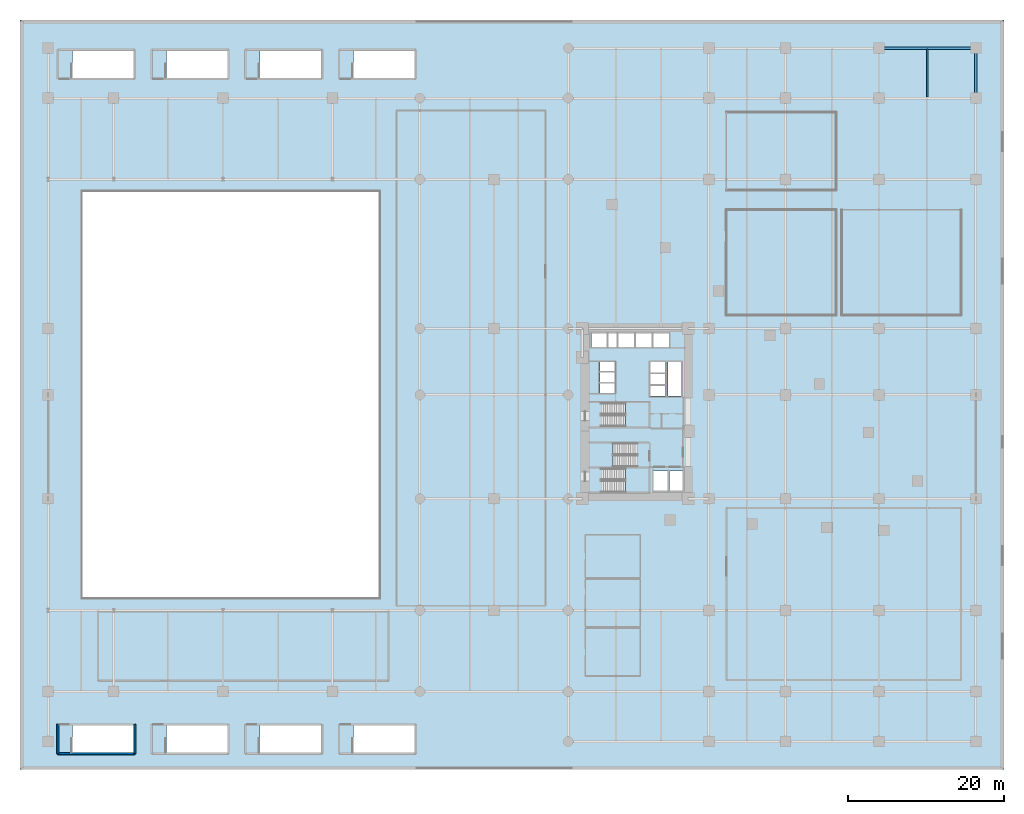
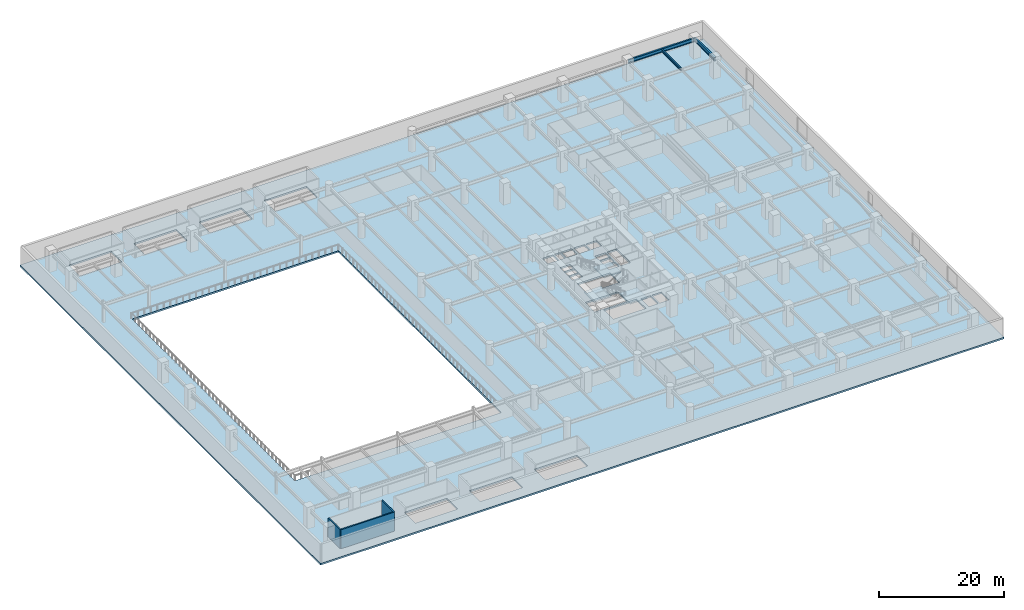
# One storey, part 7 of 20: 4 slabs, 3 beams, 3 walls, 3 elements without a shape of their own.
"""IFC4 building model written with IfcOpenShell, lengths in metres."""

import ifcopenshell
import ifcopenshell.guid

model = None  # the IFC model being written
_history = None  # IfcOwnerHistory: only IFC2X3 demands one
_inside = {}  # id of a spatial element -> (the spatial element, [elements in it])
_under = {}  # id of a project, library or spatial element -> (it, [spatial elements below it])
_declared = {}  # id of a project -> (the project, [libraries it declares])
_typed = {}  # id of a type object -> (the type object, [elements of that type])
_made_of = {}  # id of a material, layer set ... -> (it, [elements and type objects made of it])


def new_model(schema):
    """Start an empty IFC model of exactly this schema.

    Asked for "IFC4X3", IfcOpenShell would pick the latest addendum, in which some entities
    have other attributes; the version numbers below select the first issue.
    IFC2X3 requires an IfcOwnerHistory on every rooted entity: one is made here for all.
    """
    global model, _history
    if schema == "IFC4X3":
        model = ifcopenshell.file(schema_version=(4, 3, 0, 0))
    else:
        model = ifcopenshell.file(schema=schema)
    _inside.clear()
    _under.clear()
    _declared.clear()
    _typed.clear()
    _made_of.clear()
    _history = None
    if model.schema == "IFC2X3":
        org = make("IfcOrganization", Name="unknown")
        user = make(
            "IfcPersonAndOrganization",
            ThePerson=make("IfcPerson", FamilyName="unknown"),
            TheOrganization=org,
        )
        app = make(
            "IfcApplication",
            ApplicationDeveloper=org,
            Version="unknown",
            ApplicationFullName="unknown",
            ApplicationIdentifier="unknown",
        )
        _history = make(
            "IfcOwnerHistory",
            OwningUser=user,
            OwningApplication=app,
            ChangeAction="ADDED",
            CreationDate=0,
        )
    return model


def make(cls, **values):
    """One entity of the class cls with the attributes given. An attribute that is None is left unset."""
    return model.create_entity(
        cls, **{name: value for name, value in values.items() if value is not None}
    )


def rooted(cls, **values):
    """An entity with a GlobalId (a new one), such as an element, a storey or a relation."""
    return make(cls, GlobalId=ifcopenshell.guid.new(), OwnerHistory=_history, **values)


def si_unit(unit_type, name, prefix=None):
    """IfcSIUnit, for example si_unit("LENGTHUNIT", "METRE", prefix="MILLI")."""
    return make("IfcSIUnit", UnitType=unit_type, Prefix=prefix, Name=name)


def assignment(units):
    """IfcUnitAssignment: the units of a project."""
    return None if units is None else make("IfcUnitAssignment", Units=units)


def point(xyz):
    """IfcCartesianPoint."""
    return None if xyz is None else make("IfcCartesianPoint", Coordinates=xyz)


def direction(xyz):
    """IfcDirection."""
    return None if xyz is None else make("IfcDirection", DirectionRatios=xyz)


def frame(location, z_axis=None, x_axis=None):
    """IfcAxis2Placement3D, a coordinate frame: its origin and axes. An axis left out is left unset."""
    return make(
        "IfcAxis2Placement3D",
        Location=point(location),
        Axis=direction(z_axis),
        RefDirection=direction(x_axis),
    )


def frame_2d(location, x_axis=None):
    """IfcAxis2Placement2D, a coordinate frame in the plane: its origin and x axis."""
    return make(
        "IfcAxis2Placement2D", Location=point(location), RefDirection=direction(x_axis)
    )


def origin():
    """The frame at (0, 0, 0) with its axes left unset."""
    return frame((0.0, 0.0, 0.0))


def origin_2d():
    """The frame at (0, 0) in the plane with its x axis left unset."""
    return frame_2d((0.0, 0.0))


def place(relative_to, where):
    """IfcLocalPlacement: puts the frame where relative to a parent placement (None: the world)."""
    return make(
        "IfcLocalPlacement", PlacementRelTo=relative_to, RelativePlacement=where
    )


def context(
    kind, dimensions, precision=None, world=None, true_north=None, identifier=None
):
    """IfcGeometricRepresentationContext, for example the 3D "Model" context."""
    return make(
        "IfcGeometricRepresentationContext",
        ContextIdentifier=identifier,
        ContextType=kind,
        CoordinateSpaceDimension=dimensions,
        Precision=precision,
        WorldCoordinateSystem=world,
        TrueNorth=true_north,
    )


def subcontext(parent, identifier, kind, view, scale=None):
    """IfcGeometricRepresentationSubContext, for example "Body" below "Model"."""
    return make(
        "IfcGeometricRepresentationSubContext",
        ContextIdentifier=identifier,
        ContextType=kind,
        ParentContext=parent,
        TargetScale=scale,
        TargetView=view,
    )


def project(units=None, contexts=None):
    """IfcProject with its units and contexts."""
    return rooted(
        "IfcProject",
        Name="project",
        RepresentationContexts=contexts,
        UnitsInContext=assignment(units),
    )


def spatial(cls, under=None, at=None, **own):
    """A site, building, storey or space (cls), placed at a placement, below another one or the project."""
    s = rooted(cls, ObjectPlacement=at, **own)
    if under is not None:
        _under.setdefault(under.id(), (under, []))[1].append(s)
    return s


def polyline(points):
    """IfcPolyline through the points."""
    return make("IfcPolyline", Points=[point(p) for p in points])


def profile(cls, at=None, kind="AREA", **sizes):
    """A parametric profile (cls). Its sizes go by their IFC names, for example OverallWidth=200.0."""
    return make(cls, ProfileType=kind, Position=at, **sizes)


def rectangle(**sizes):
    """IfcRectangleProfileDef."""
    return profile("IfcRectangleProfileDef", **sizes)


def i_section(**sizes):
    """IfcIShapeProfileDef."""
    return profile("IfcIShapeProfileDef", **sizes)


def outline(outer, holes=None, kind="AREA"):
    """IfcArbitraryClosedProfileDef: a profile drawn as a closed curve; with holes, ...WithVoids."""
    if holes is None:
        return make("IfcArbitraryClosedProfileDef", ProfileType=kind, OuterCurve=outer)
    return make(
        "IfcArbitraryProfileDefWithVoids",
        ProfileType=kind,
        OuterCurve=outer,
        InnerCurves=holes,
    )


def extrude(swept, where, along, depth):
    """IfcExtrudedAreaSolid: the profile swept, set in the frame where, extruded along a direction by depth."""
    return make(
        "IfcExtrudedAreaSolid",
        SweptArea=swept,
        Position=where,
        ExtrudedDirection=direction(along),
        Depth=depth,
    )


def shape(context_of_items, identifier, shape_type, items):
    """IfcShapeRepresentation: the items that make up one representation, for example the "Body"."""
    return make(
        "IfcShapeRepresentation",
        ContextOfItems=context_of_items,
        RepresentationIdentifier=identifier,
        RepresentationType=shape_type,
        Items=items,
    )


def material(Name=None, Category=None):
    """IfcMaterial."""
    return make("IfcMaterial", Name=Name, Category=Category)


def layer(
    of_material, thickness, ventilated=None, Name=None, Category=None, Priority=None
):
    """IfcMaterialLayer: one layer of a wall or slab, of a material (None: an air gap)."""
    return make(
        "IfcMaterialLayer",
        Material=of_material,
        LayerThickness=thickness,
        IsVentilated=ventilated,
        Name=Name,
        Category=Category,
        Priority=Priority,
    )


def layer_set(layers, Name=None):
    """IfcMaterialLayerSet."""
    return make("IfcMaterialLayerSet", MaterialLayers=layers, LayerSetName=Name)


def material_profile(
    of_material, cross_section, Name=None, Category=None, Priority=None
):
    """IfcMaterialProfile: a cross section and its material."""
    return make(
        "IfcMaterialProfile",
        Name=Name,
        Material=of_material,
        Profile=cross_section,
        Priority=Priority,
        Category=Category,
    )


def profile_set(profiles, Name=None, composite=None):
    """IfcMaterialProfileSet."""
    return make(
        "IfcMaterialProfileSet",
        Name=Name,
        MaterialProfiles=profiles,
        CompositeProfile=composite,
    )


def made_of(thing, what):
    """Note that an element or type object is made of a material, layer set ...; save() writes the relation."""
    if what is not None:
        _made_of.setdefault(what.id(), (what, []))[1].append(thing)
    return thing


def type_object(cls, material=None, **own):
    """A type object (cls), such as IfcWallType, which elements share."""
    return made_of(rooted(cls, **own), material)


def element(
    cls,
    number,
    at=None,
    inside=None,
    cuts=None,
    type_object=None,
    material=None,
    context=None,
    identifier="Body",
    shape_type=None,
    held_by="IfcProductDefinitionShape",
    body=None,
    shapes=None,
    **own,
):
    """One element of the class cls, such as IfcWall. Its Tag is "e" and its number.

    at: its placement. inside: the storey or other place that contains it. cuts: it is an
    opening in that element (IfcRelVoidsElement). A single representation is given by context,
    identifier, shape_type and body (its items); several are given by shapes. held_by: the class
    of the entity that holds the representations. save() writes the other relations.
    """
    e = rooted(cls, Tag="e%d" % number, ObjectPlacement=at, **own)
    if body is not None:
        shapes = [shape(context, identifier, shape_type, body)]
    if shapes is not None:
        e.Representation = make(held_by, Representations=shapes)
    if inside is not None:
        _inside.setdefault(inside.id(), (inside, []))[1].append(e)
    if cuts is not None:
        rooted(
            "IfcRelVoidsElement", RelatingBuildingElement=cuts, RelatedOpeningElement=e
        )
    if type_object is not None:
        _typed.setdefault(type_object.id(), (type_object, []))[1].append(e)
    return made_of(e, material)


def aggregate(whole, parts):
    """IfcRelAggregates: a whole, such as a stair, and the parts it consists of."""
    return rooted("IfcRelAggregates", RelatingObject=whole, RelatedObjects=parts)


def save(model, path):
    """Write the relations noted so far, then the file.

    IfcRelAggregates (storeys below a building ...), IfcRelContainedInSpatialStructure (elements
    in a storey), IfcRelDefinesByType, IfcRelAssociatesMaterial and IfcRelDeclares: one each for
    every whole, place, type object, material and project.
    """
    for whole, parts in _under.values():
        aggregate(whole, parts)
    for where, things in _inside.values():
        rooted(
            "IfcRelContainedInSpatialStructure",
            RelatedElements=things,
            RelatingStructure=where,
        )
    for kind, things in _typed.values():
        rooted("IfcRelDefinesByType", RelatedObjects=things, RelatingType=kind)
    for what, things in _made_of.values():
        rooted("IfcRelAssociatesMaterial", RelatedObjects=things, RelatingMaterial=what)
    for by, libraries in _declared.values():
        rooted("IfcRelDeclares", RelatingContext=by, RelatedDefinitions=libraries)
    model.write(path)


model = new_model("IFC4")

# Units and contexts
model_context = context("Model", 3, precision=1e-05, world=origin(), true_north=direction((0.0, 1.0)))
body_context = subcontext(model_context, "Body", "Model", "MODEL_VIEW")
ifc_project = project(units=[si_unit("LENGTHUNIT", "METRE"), si_unit("AREAUNIT", "SQUARE_METRE"), si_unit("VOLUMEUNIT", "CUBIC_METRE"), si_unit("PLANEANGLEUNIT", "RADIAN"), si_unit("MASSUNIT", "GRAM", prefix="KILO")], contexts=[model_context])

# Site, building, storey
site_placement = place(None, origin())
site = spatial("IfcSite", under=ifc_project, at=site_placement, CompositionType="ELEMENT")
building_placement = place(site_placement, origin())
building = spatial("IfcBuilding", under=site, at=building_placement, Name="Narakoshi Arena Tower", CompositionType="ELEMENT")
storey_placement = place(building_placement, frame((0.0, 0.0, 17.39990234375)))
storey = spatial("IfcBuildingStorey", under=building, at=storey_placement, Name="L04", CompositionType="ELEMENT", Elevation=17.39990234375)

# Beams
ifc_material_1 = material(Name="Structural steel S355J2", Category="steel")
ifc_material_profile_1 = material_profile(ifc_material_1, i_section(OverallWidth=0.300048828125, OverallDepth=0.699951171875, WebThickness=0.01708984375, FlangeThickness=0.031982421875, FilletRadius=0.027099609375, at=origin_2d()), Name="HE700B")
ifc_profile_set_1 = profile_set([ifc_material_profile_1], Name="Structural steel S355J2")
beam_type_1 = type_object("IfcBeamType", Name="BM-PRI-700", PredefinedType="BEAM", material=ifc_profile_set_1)
beam_1_placement = place(storey_placement, frame((110.0, 92.39990234375, 3.35009765625), z_axis=(1.0, 0.0, 0.0), x_axis=(0.0, 1.0, 0.0)))
element("IfcBeam", 1, at=beam_1_placement, inside=storey, type_object=beam_type_1, Name="L04 Podium Primary X-Girder 065", PredefinedType="BEAM", context=body_context, shape_type="SweptSolid", body=[
    extrude(i_section(OverallWidth=0.300048828125, OverallDepth=0.699951171875, WebThickness=0.01708984375, FlangeThickness=0.031982421875, FilletRadius=0.027099609375, at=origin_2d()), origin(), (0.0, 0.0, 1.0), 12.39990234375),
])
beam_2_placement = place(storey_placement, frame((122.39990234375, 86.0, 3.35009765625), z_axis=(0.0, 1.0, 0.0), x_axis=(-1.0, 0.0, 0.0)))
element("IfcBeam", 2, at=beam_2_placement, inside=storey, type_object=beam_type_1, Name="L04 Podium Primary Y-Girder 129", PredefinedType="BEAM", context=body_context, shape_type="SweptSolid", body=[
    extrude(i_section(OverallWidth=0.300048828125, OverallDepth=0.699951171875, WebThickness=0.01708984375, FlangeThickness=0.031982421875, FilletRadius=0.027099609375, at=origin_2d()), origin(), (0.0, 0.0, 1.0), 6.39990234375),
])
ifc_material_profile_2 = material_profile(ifc_material_1, i_section(OverallWidth=0.199951171875, OverallDepth=0.5, WebThickness=0.01025390625, FlangeThickness=0.01611328125, FilletRadius=0.02099609375, at=origin_2d()), Name="IPE500")
ifc_profile_set_2 = profile_set([ifc_material_profile_2], Name="Structural steel S355J2")
beam_type_2 = type_object("IfcBeamType", Name="BM-SEC-500", PredefinedType="JOIST", material=ifc_profile_set_2)
beam_3_placement = place(storey_placement, frame((116.199951171875, 86.135009765625, 3.4501953125), z_axis=(0.0, 1.0, 0.0), x_axis=(-1.0, 0.0, 0.0)))
element("IfcBeam", 3, at=beam_3_placement, inside=storey, type_object=beam_type_2, Name="L04 Podium Composite Floor Joist 054", PredefinedType="JOIST", context=body_context, shape_type="SweptSolid", body=[
    extrude(i_section(OverallWidth=0.199951171875, OverallDepth=0.5, WebThickness=0.01025390625, FlangeThickness=0.01611328125, FilletRadius=0.02099609375, at=origin_2d()), origin(), (0.0, 0.0, 1.0), 6.1298828125),
])

# Stair, slab
ifc_material_2 = material(Name="Concrete C45/55", Category="concrete")
stair_type = type_object("IfcStairType", Name="STR-PLANT-420", PredefinedType="TWO_STRAIGHT_RUN_STAIR", material=ifc_material_2)
stair_1_placement = place(storey_placement, origin())
stair_1 = element("IfcStair", 4, at=stair_1_placement, inside=storey, type_object=stair_type, Name="L04 Core Escape Stair ST1", PredefinedType="TWO_STRAIGHT_RUN_STAIR")
ifc_layer_1 = layer(ifc_material_2, 0.18994140625)
ifc_layer_set_1 = layer_set([ifc_layer_1], Name="Concrete C45/55")
slab_type_1 = type_object("IfcSlabType", Name="SLB-LND-190", PredefinedType="LANDING", material=ifc_layer_set_1)
slab_1_placement = place(storey_placement, frame((0.0, 0.0, 1.91015625)))
slab_1 = element("IfcSlab", 5, at=slab_1_placement, type_object=slab_type_1, Name="ST1 landing 1", PredefinedType="LANDING", context=body_context, shape_type="SweptSolid", body=[
    extrude(outline(polyline([(77.534912109375, 35.3701171875), (80.679931640625, 35.3701171875), (80.679931640625, 38.72998046875), (77.534912109375, 38.72998046875), (77.534912109375, 35.3701171875)])), origin(), (0.0, 0.0, 1.0), 0.18994140625),
])
aggregate(stair_1, [slab_1])

stair_2_placement = place(storey_placement, origin())
stair_2 = element("IfcStair", 6, at=stair_2_placement, inside=storey, type_object=stair_type, Name="L04 Core Escape Stair ST2", PredefinedType="TWO_STRAIGHT_RUN_STAIR")
slab_2_placement = place(storey_placement, frame((0.0, 0.0, 1.91015625)))
slab_2 = element("IfcSlab", 7, at=slab_2_placement, type_object=slab_type_1, Name="ST2 landing 1", PredefinedType="LANDING", context=body_context, shape_type="SweptSolid", body=[
    extrude(outline(polyline([(72.77001953125, 38.6201171875), (75.9150390625, 38.6201171875), (75.9150390625, 41.97998046875), (72.77001953125, 41.97998046875), (72.77001953125, 38.6201171875)])), origin(), (0.0, 0.0, 1.0), 0.18994140625),
])
aggregate(stair_2, [slab_2])

stair_3_placement = place(storey_placement, origin())
stair_3 = element("IfcStair", 8, at=stair_3_placement, inside=storey, type_object=stair_type, Name="L04 Core Escape Stair ST3", PredefinedType="TWO_STRAIGHT_RUN_STAIR")
slab_3_placement = place(storey_placement, frame((0.0, 0.0, 1.91015625)))
slab_3 = element("IfcSlab", 9, at=slab_3_placement, type_object=slab_type_1, Name="ST3 landing 1", PredefinedType="LANDING", context=body_context, shape_type="SweptSolid", body=[
    extrude(outline(polyline([(77.534912109375, 43.77001953125), (80.679931640625, 43.77001953125), (80.679931640625, 47.1298828125), (77.534912109375, 47.1298828125), (77.534912109375, 43.77001953125)])), origin(), (0.0, 0.0, 1.0), 0.18994140625),
])
aggregate(stair_3, [slab_3])

# Slab
ifc_layer_2 = layer(ifc_material_2, 0.320068359375)
ifc_layer_set_2 = layer_set([ifc_layer_2], Name="Concrete C45/55")
slab_type_2 = type_object("IfcSlabType", Name="SLB-POD-320", PredefinedType="FLOOR", material=ifc_layer_set_2)
slab_4_placement = place(storey_placement, frame((0.0, 0.0, -0.31982421875)))
element("IfcSlab", 10, at=slab_4_placement, inside=storey, type_object=slab_type_2, Name="L04 Structural Floor Slab", PredefinedType="FLOOR", context=body_context, shape_type="SweptSolid", body=[
    extrude(outline(polyline([(0.0, 0.0), (126.0, 0.0), (126.0, 96.0), (0.0, 96.0), (0.0, 0.0)]), holes=[polyline([(6.72998046875, 2.199951171875), (6.72998046875, 5.64990234375), (14.550048828125, 5.64990234375), (14.550048828125, 2.199951171875), (6.72998046875, 2.199951171875)]), polyline([(18.72998046875, 5.64990234375), (26.550048828125, 5.64990234375), (26.550048828125, 2.199951171875), (18.72998046875, 2.199951171875), (18.72998046875, 5.64990234375)]), polyline([(30.72998046875, 5.64990234375), (38.550048828125, 5.64990234375), (38.550048828125, 2.199951171875), (30.72998046875, 2.199951171875), (30.72998046875, 5.64990234375)]), polyline([(42.72998046875, 2.199951171875), (42.72998046875, 5.64990234375), (50.550048828125, 5.64990234375), (50.550048828125, 2.199951171875), (42.72998046875, 2.199951171875)]), polyline([(8.0, 74.0), (46.0, 74.0), (46.0, 22.0), (8.0, 22.0), (8.0, 74.0)]), polyline([(74.47998046875, 38.550048828125), (80.5, 38.550048828125), (80.5, 35.550048828125), (74.47998046875, 35.550048828125), (74.47998046875, 38.550048828125)]), polyline([(81.14990234375, 35.75), (81.14990234375, 38.25), (82.89990234375, 38.25), (82.89990234375, 35.75), (81.14990234375, 35.75)]), polyline([(83.14990234375, 38.25), (84.89990234375, 38.25), (84.89990234375, 35.75), (83.14990234375, 35.75), (83.14990234375, 38.25)]), polyline([(72.949951171875, 38.800048828125), (72.949951171875, 41.800048828125), (78.969970703125, 41.800048828125), (78.969970703125, 38.800048828125), (72.949951171875, 38.800048828125)]), polyline([(74.47998046875, 46.949951171875), (80.5, 46.949951171875), (80.5, 43.949951171875), (74.47998046875, 43.949951171875), (74.47998046875, 46.949951171875)]), polyline([(82.949951171875, 52.199951171875), (84.699951171875, 52.199951171875), (84.699951171875, 47.840087890625), (82.949951171875, 47.840087890625), (82.949951171875, 52.199951171875)]), polyline([(80.75, 49.14990234375), (82.64990234375, 49.14990234375), (82.64990234375, 47.85009765625), (80.75, 47.85009765625), (80.75, 49.14990234375)]), polyline([(74.25, 49.449951171875), (76.14990234375, 49.449951171875), (76.14990234375, 48.25), (74.25, 48.25), (74.25, 49.449951171875)]), polyline([(80.75, 49.3701171875), (80.75, 50.669921875), (82.64990234375, 50.669921875), (82.64990234375, 49.3701171875), (80.75, 49.3701171875)]), polyline([(74.25, 49.64990234375), (74.25, 50.85009765625), (76.14990234375, 50.85009765625), (76.14990234375, 49.64990234375), (74.25, 49.64990234375)]), polyline([(80.75, 52.18994140625), (82.64990234375, 52.18994140625), (82.64990234375, 50.889892578125), (80.75, 50.889892578125), (80.75, 52.18994140625)]), polyline([(74.25, 52.2099609375), (76.14990234375, 52.2099609375), (76.14990234375, 51.050048828125), (74.25, 51.050048828125), (74.25, 52.2099609375)]), polyline([(73.14990234375, 55.85009765625), (75.10009765625, 55.85009765625), (75.10009765625, 54.14990234375), (73.14990234375, 54.14990234375), (73.14990234375, 55.85009765625)]), polyline([(75.35009765625, 55.85009765625), (76.39990234375, 55.85009765625), (76.39990234375, 54.14990234375), (75.35009765625, 54.14990234375), (75.35009765625, 55.85009765625)]), polyline([(76.64990234375, 55.85009765625), (78.60009765625, 55.85009765625), (78.60009765625, 54.14990234375), (76.64990234375, 54.14990234375), (76.64990234375, 55.85009765625)]), polyline([(78.89990234375, 55.85009765625), (80.85009765625, 55.85009765625), (80.85009765625, 54.14990234375), (78.89990234375, 54.14990234375), (78.89990234375, 55.85009765625)]), polyline([(81.14990234375, 55.85009765625), (83.10009765625, 55.85009765625), (83.10009765625, 54.14990234375), (81.14990234375, 54.14990234375), (81.14990234375, 55.85009765625)]), polyline([(6.72998046875, 92.050048828125), (14.550048828125, 92.050048828125), (14.550048828125, 88.60009765625), (6.72998046875, 88.60009765625), (6.72998046875, 92.050048828125)]), polyline([(18.72998046875, 92.050048828125), (26.550048828125, 92.050048828125), (26.550048828125, 88.60009765625), (18.72998046875, 88.60009765625), (18.72998046875, 92.050048828125)]), polyline([(30.72998046875, 92.050048828125), (38.550048828125, 92.050048828125), (38.550048828125, 88.60009765625), (30.72998046875, 88.60009765625), (30.72998046875, 92.050048828125)]), polyline([(42.72998046875, 92.050048828125), (50.550048828125, 92.050048828125), (50.550048828125, 88.60009765625), (42.72998046875, 88.60009765625), (42.72998046875, 92.050048828125)])]), origin(), (0.0, 0.0, 1.0), 0.31982421875),
])

# Walls
ifc_material_3 = material(Name="Concrete C50/60", Category="concrete")
ifc_layer_3 = layer(ifc_material_3, 0.35009765625)
ifc_layer_set_3 = layer_set([ifc_layer_3], Name="Concrete C50/60")
wall_type = type_object("IfcWallType", Name="WL-SHAFT-350", PredefinedType="SOLIDWALL", material=ifc_layer_set_3)
for number, where, z_axis, x_axis, name in (
    (11, (4.85009765625, 2.050048828125, -0.31982421875), (0.0, 0.0, 1.0), (0.0, 1.0, 0.0), "L04 AST1 Enclosure Wall W"),
    (12, (14.699951171875, 2.050048828125, -0.31982421875), (0.0, 0.0, 1.0), (0.0, 1.0, 0.0), "L04 AST1 Enclosure Wall E"),
):
    element("IfcWall", number, at=place(storey_placement, frame(where, z_axis=z_axis, x_axis=x_axis)), inside=storey, type_object=wall_type, Name=name, PredefinedType="SOLIDWALL", context=body_context, shape_type="SweptSolid", body=[
        extrude(rectangle(XDim=3.75, YDim=0.25, at=frame_2d((1.875, 0.0))), origin(), (0.0, 0.0, 1.0), 4.02001953125),
    ])
wall_placement = place(storey_placement, frame((4.85009765625, 2.050048828125, -0.31982421875), z_axis=(0.0, 0.0, 1.0), x_axis=(1.0, 0.0, 0.0)))
element("IfcWall", 13, at=wall_placement, inside=storey, type_object=wall_type, Name="L04 AST1 Enclosure Wall B", PredefinedType="SOLIDWALL", context=body_context, shape_type="SweptSolid", body=[
    extrude(rectangle(XDim=9.849853515625, YDim=0.25, at=frame_2d((4.9248046875, 0.0))), origin(), (0.0, 0.0, 1.0), 4.02001953125),
])

save(model, "model.ifc")
